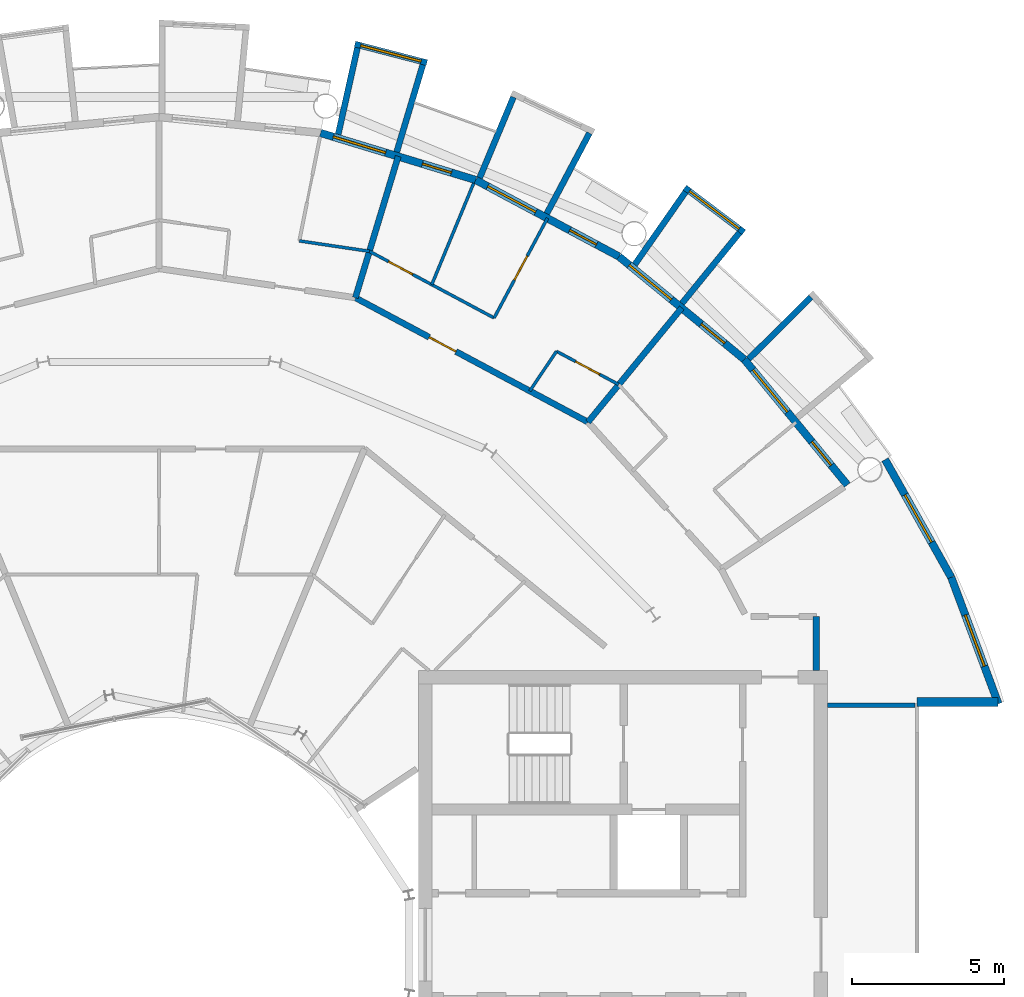
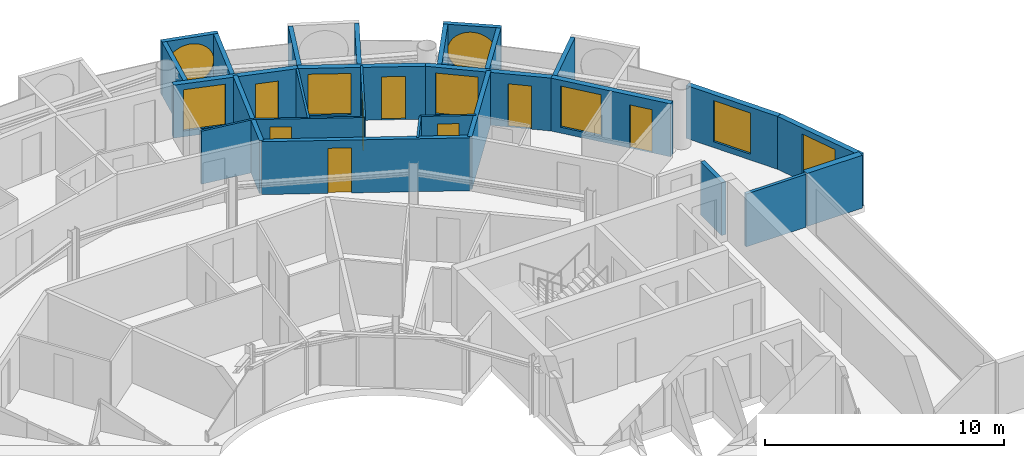
# One storey, part 24 of 29: 27 walls, 8 doors, 8 windows, 16 openings.
"""IFC4 building model written with IfcOpenShell, lengths in metres."""

from ifc_helpers import new_model, si_unit, direction, frame, frame_2d, origin, place, context, subcontext, project, spatial, rectangle, circle, extrude, material, layer, layer_set, type_object, element, fill, save


model = new_model("IFC4")

# Units and contexts
model_context = context("Model", 3, precision=1e-05, world=origin(), true_north=direction((0.0, 1.0)))
body_context = subcontext(model_context, "Body", "Model", "MODEL_VIEW")
ifc_project = project(units=[si_unit("LENGTHUNIT", "METRE"), si_unit("AREAUNIT", "SQUARE_METRE"), si_unit("VOLUMEUNIT", "CUBIC_METRE"), si_unit("PLANEANGLEUNIT", "RADIAN"), si_unit("MASSUNIT", "GRAM", prefix="KILO")], contexts=[model_context])

# Site, building, storey
site_placement = place(None, origin())
site = spatial("IfcSite", under=ifc_project, at=site_placement, CompositionType="ELEMENT")
building_placement = place(site_placement, origin())
building = spatial("IfcBuilding", under=site, at=building_placement, Name="Maasbend Ring Residences", CompositionType="ELEMENT")
storey_placement = place(building_placement, frame((0.0, 0.0, 215.75)))
storey = spatial("IfcBuildingStorey", under=building, at=storey_placement, Name="L62", CompositionType="ELEMENT", Elevation=215.75)

# Wall
ifc_material_1 = material(Name="Concrete C30/37", Category="concrete")
ifc_layer_1 = layer(ifc_material_1, 0.199951171875)
ifc_layer_set_1 = layer_set([ifc_layer_1], Name="Concrete C30/37")
wall_type_1 = type_object("IfcWallType", Name="CORRIDOR WALL 200 CONCRETE", PredefinedType="PARTITIONING", material=ifc_layer_set_1)
wall_1_placement = place(storey_placement, frame((21.675048828125, 9.050048828125, 0.0), z_axis=(0.0, 0.0, 1.0), x_axis=(0.0, 1.0, 0.0)))
element("IfcWall", 1, at=wall_1_placement, inside=storey, type_object=wall_type_1, Name="U-L62-w018", PredefinedType="PARTITIONING", context=body_context, shape_type="SweptSolid", body=[
    extrude(rectangle(XDim=1.77490234375, YDim=0.199951171875, at=frame_2d((0.887451171875, 0.0))), origin(), (0.0, 0.0, 1.0), 2.699951171875),
])

# Wall, opening, door
wall_2_placement = place(storey_placement, frame((6.472900390625, 21.340087890625, 0.0), z_axis=(0.0, 0.0, 1.0), x_axis=(0.881912965532, -0.471412262491, 0.0)))
wall_2 = element("IfcWall", 2, at=wall_2_placement, inside=storey, type_object=wall_type_1, Name="U-L62-w114", PredefinedType="PARTITIONING", context=body_context, shape_type="SweptSolid", body=[
    extrude(rectangle(XDim=8.70166015625, YDim=0.199951171875, at=frame_2d((4.350830078125, 0.0))), origin(), (0.0, 0.0, 1.0), 2.699951171875),
])
opening_1_placement = place(wall_2_placement, frame((2.763916015625, 0.0, 0.0)))
opening_1 = element("IfcOpeningElement", 3, at=opening_1_placement, cuts=wall_2, Name="Opening D-6204", PredefinedType="OPENING", context=body_context, shape_type="SweptSolid", body=[
    extrude(rectangle(XDim=1.0, YDim=2.300048828125, at=frame_2d((0.5, 1.14990234375))), frame((0.0, 0.10986328125, 0.0), z_axis=(0.0, -1.0, 0.0), x_axis=(1.0, 0.0, 0.0)), (0.0, 0.0, 1.0), 0.219970703125),
])
ifc_material_2 = material(Name="Timber, fire-rated, painted", Category="wood")
door_type_1 = type_object("IfcDoorType", Name="FLAT ENTRANCE DOOR 1000 X 2300 FIRE-RATED", OperationType="NOTDEFINED", PredefinedType="DOOR", material=ifc_material_2)
door_1_placement = place(opening_1_placement, origin())
door_1 = element("IfcDoor", 4, at=door_1_placement, inside=storey, type_object=door_type_1, Name="D-6204", OperationType="SINGLE_SWING_LEFT", OverallHeight=2.300048828125, OverallWidth=1.0, PredefinedType="DOOR", context=body_context, shape_type="SweptSolid", body=[
    extrude(rectangle(XDim=1.0, YDim=2.300048828125, at=frame_2d((0.5, 1.14990234375))), frame((0.0, 0.02490234375, 0.0), z_axis=(0.0, -1.0, 0.0), x_axis=(1.0, 0.0, 0.0)), (0.0, 0.0, 1.0), 0.050048828125),
])
fill(opening_1, door_1)

# Wall
ifc_material_3 = material(Name="Pale anodised aluminium panel", Category="aluminium")
ifc_layer_2 = layer(ifc_material_3, 0.199951171875)
ifc_layer_set_2 = layer_set([ifc_layer_2], Name="EW-BOX")
wall_type_2 = type_object("IfcWallType", Name="EW-BOX", PredefinedType="SOLIDWALL", material=ifc_layer_set_2)
wall_3_placement = place(storey_placement, frame((19.449951171875, 19.322998046875, -0.030029296875), z_axis=(0.0, 0.0, 1.0), x_axis=(0.709727076896, 0.704476739375, 0.0)))
element("IfcWall", 5, at=wall_3_placement, inside=storey, type_object=wall_type_2, Name="Box side wall N02 right", PredefinedType="SOLIDWALL", context=body_context, shape_type="SweptSolid", body=[
    extrude(rectangle(XDim=2.883056640625, YDim=0.199951171875, at=frame_2d((1.44140625, 0.0))), origin(), (0.0, 0.0, 1.0), 2.72998046875),
])

# Wall, opening, window
wall_4_placement = place(storey_placement, frame((19.2890625, 23.4970703125, -0.030029296875), z_axis=(0.0, 0.0, 1.0), x_axis=(-0.797887588059, 0.602806268067, 0.0)))
wall_4 = element("IfcWall", 6, at=wall_4_placement, inside=storey, type_object=wall_type_2, Name="Box front N04", PredefinedType="SOLIDWALL", context=body_context, shape_type="SweptSolid", body=[
    extrude(rectangle(XDim=2.446533203125, YDim=0.199951171875, at=frame_2d((1.22314453125, 0.0))), origin(), (0.0, 0.0, 1.0), 2.72998046875),
])
opening_2_placement = place(wall_4_placement, frame((0.182861328125, 0.0, 0.330078125)))
opening_2 = element("IfcOpeningElement", 7, at=opening_2_placement, cuts=wall_4, Name="Opening W-RD", PredefinedType="OPENING", context=body_context, shape_type="SweptSolid", body=[
    extrude(circle(Radius=1.0400390625, at=frame_2d((1.0400390625, 1.0400390625))), frame((0.0, 0.10986328125, 0.0), z_axis=(0.0, -1.0, 0.0), x_axis=(1.0, 0.0, 0.0)), (0.0, 0.0, 1.0), 0.219970703125),
])
ifc_material_4 = material(Name="Aluminium and clear glass", Category="aluminium")
window_type_1 = type_object("IfcWindowType", Name="W-RD", PartitioningType="SINGLE_PANEL", PredefinedType="WINDOW", material=ifc_material_4)
window_1_placement = place(opening_2_placement, origin())
window_1 = element("IfcWindow", 8, at=window_1_placement, inside=storey, type_object=window_type_1, Name="Round window N04", OverallHeight=2.080078125, OverallWidth=2.080078125, PartitioningType="SINGLE_PANEL", PredefinedType="WINDOW", context=body_context, shape_type="SweptSolid", body=[
    extrude(circle(Radius=1.0400390625, at=frame_2d((1.0400390625, 1.0400390625))), frame((0.0, 0.030029296875, 0.0), z_axis=(0.0, -1.0, 0.0), x_axis=(1.0, 0.0, 0.0)), (0.0, 0.0, 1.0), 0.06005859375),
])
fill(opening_2, window_1)

# Walls
wall_5_placement = place(storey_placement, frame((17.24609375, 21.155029296875, -0.030029296875), z_axis=(0.0, 0.0, 1.0), x_axis=(0.631741648902, 0.775179004516, 0.0)))
element("IfcWall", 9, at=wall_5_placement, inside=storey, type_object=wall_type_2, Name="Box side wall N04 left", PredefinedType="SOLIDWALL", context=body_context, shape_type="SweptSolid", body=[
    extrude(rectangle(XDim=3.005859375, YDim=0.199951171875, at=frame_2d((1.5029296875, 0.0))), origin(), (0.0, 0.0, 1.0), 2.72998046875),
])
wall_6_placement = place(storey_placement, frame((15.68798828125, 22.43310546875, -0.030029296875), z_axis=(0.0, 0.0, 1.0), x_axis=(0.573260687834, 0.819373043115, 0.0)))
element("IfcWall", 10, at=wall_6_placement, inside=storey, type_object=wall_type_2, Name="Box side wall N04 right", PredefinedType="SOLIDWALL", context=body_context, shape_type="SweptSolid", body=[
    extrude(rectangle(XDim=2.92529296875, YDim=0.199951171875, at=frame_2d((1.462646484375, 0.0))), origin(), (0.0, 0.0, 1.0), 2.72998046875),
])
wall_7_placement = place(storey_placement, frame((12.787109375, 24.113037109375, -0.030029296875), z_axis=(0.0, 0.0, 1.0), x_axis=(0.468365282436, 0.883534924159, 0.0)))
element("IfcWall", 11, at=wall_7_placement, inside=storey, type_object=wall_type_2, Name="Box side wall N06 left", PredefinedType="SOLIDWALL", context=body_context, shape_type="SweptSolid", body=[
    extrude(rectangle(XDim=3.006103515625, YDim=0.199951171875, at=frame_2d((1.5029296875, 0.0))), origin(), (0.0, 0.0, 1.0), 2.72998046875),
])
wall_8_placement = place(storey_placement, frame((10.574951171875, 25.294921875, -0.030029296875), z_axis=(0.0, 0.0, 1.0), x_axis=(0.385697364644, 0.922625353492, 0.0)))
element("IfcWall", 12, at=wall_8_placement, inside=storey, type_object=wall_type_2, Name="Box side wall N06 right", PredefinedType="SOLIDWALL", context=body_context, shape_type="SweptSolid", body=[
    extrude(rectangle(XDim=2.88330078125, YDim=0.199951171875, at=frame_2d((1.441650390625, 0.0))), origin(), (0.0, 0.0, 1.0), 2.72998046875),
])

# Wall, opening, window
wall_9_placement = place(storey_placement, frame((8.8291015625, 29.090087890625, -0.030029296875), z_axis=(0.0, 0.0, 1.0), x_axis=(-0.96789536872, 0.251353446784, 0.0)))
wall_9 = element("IfcWall", 13, at=wall_9_placement, inside=storey, type_object=wall_type_2, Name="Box front N08", PredefinedType="SOLIDWALL", context=body_context, shape_type="SweptSolid", body=[
    extrude(rectangle(XDim=2.44677734375, YDim=0.199951171875, at=frame_2d((1.223388671875, 0.0))), origin(), (0.0, 0.0, 1.0), 2.72998046875),
])
opening_3_placement = place(wall_9_placement, frame((0.182861328125, 0.0, 0.330078125)))
opening_3 = element("IfcOpeningElement", 14, at=opening_3_placement, cuts=wall_9, Name="Opening W-RD", PredefinedType="OPENING", context=body_context, shape_type="SweptSolid", body=[
    extrude(circle(Radius=1.0400390625, at=frame_2d((1.0400390625, 1.0400390625))), frame((0.0, 0.10986328125, 0.0), z_axis=(0.0, -1.0, 0.0), x_axis=(1.0, 0.0, 0.0)), (0.0, 0.0, 1.0), 0.219970703125),
])
window_2_placement = place(opening_3_placement, origin())
window_2 = element("IfcWindow", 15, at=window_2_placement, inside=storey, type_object=window_type_1, Name="Round window N08", OverallHeight=2.080078125, OverallWidth=2.080078125, PartitioningType="SINGLE_PANEL", PredefinedType="WINDOW", context=body_context, shape_type="SweptSolid", body=[
    extrude(circle(Radius=1.0400390625, at=frame_2d((1.0400390625, 1.0400390625))), frame((0.0, 0.030029296875, 0.0), z_axis=(0.0, -1.0, 0.0), x_axis=(1.0, 0.0, 0.0)), (0.0, 0.0, 1.0), 0.06005859375),
])
fill(opening_3, window_2)

# Walls
wall_10_placement = place(storey_placement, frame((7.8369140625, 26.14404296875, -0.030029296875), z_axis=(0.0, 0.0, 1.0), x_axis=(0.287064767992, 0.957911174889, 0.0)))
element("IfcWall", 16, at=wall_10_placement, inside=storey, type_object=wall_type_2, Name="Box side wall N08 left", PredefinedType="SOLIDWALL", context=body_context, shape_type="SweptSolid", body=[
    extrude(rectangle(XDim=3.00634765625, YDim=0.199951171875, at=frame_2d((1.503173828125, 0.0))), origin(), (0.0, 0.0, 1.0), 2.72998046875),
])
wall_11_placement = place(storey_placement, frame((5.908935546875, 26.72900390625, -0.030029296875), z_axis=(0.0, 0.0, 1.0), x_axis=(0.216409053917, 0.976302781612, 0.0)))
element("IfcWall", 17, at=wall_11_placement, inside=storey, type_object=wall_type_2, Name="Box side wall N08 right", PredefinedType="SOLIDWALL", context=body_context, shape_type="SweptSolid", body=[
    extrude(rectangle(XDim=2.92529296875, YDim=0.199951171875, at=frame_2d((1.462646484375, 0.0))), origin(), (0.0, 0.0, 1.0), 2.72998046875),
])

# Wall, openings, door, window
ifc_material_5 = material(Name="Aluminium clad insulated panel", Category="aluminium")
ifc_layer_3 = layer(ifc_material_5, 0.25)
ifc_layer_set_3 = layer_set([ifc_layer_3], Name="EW-GL")
wall_type_3 = type_object("IfcWallType", Name="EW-GL", PredefinedType="SOLIDWALL", material=ifc_layer_set_3)
wall_12_placement = place(storey_placement, frame((22.698974609375, 15.1669921875, 0.0), z_axis=(0.0, 0.0, 1.0), x_axis=(-0.634382322723, 0.773019449054, 0.0)))
wall_12 = element("IfcWall", 18, at=wall_12_placement, inside=storey, type_object=wall_type_3, Name="External wall N01", PredefinedType="SOLIDWALL", context=body_context, shape_type="SweptSolid", body=[
    extrude(rectangle(XDim=5.351806640625, YDim=0.25, at=frame_2d((2.67578125, 0.0))), origin(), (0.0, 0.0, 1.0), 2.699951171875),
])
opening_4_placement = place(wall_12_placement, frame((0.841064453125, 0.0, 0.0)))
opening_4 = element("IfcOpeningElement", 19, at=opening_4_placement, cuts=wall_12, Name="Opening D-LG", PredefinedType="OPENING", context=body_context, shape_type="SweptSolid", body=[
    extrude(rectangle(XDim=1.0, YDim=2.199951171875, at=frame_2d((0.5, 1.10009765625))), frame((0.0, 0.135009765625, 0.0), z_axis=(0.0, -1.0, 0.0), x_axis=(1.0, 0.0, 0.0)), (0.0, 0.0, 1.0), 0.27001953125),
])
opening_5_placement = place(wall_12_placement, frame((3.110595703125, 0.0, 0.300048828125)))
opening_5 = element("IfcOpeningElement", 20, at=opening_5_placement, cuts=wall_12, Name="Opening W-BX", PredefinedType="OPENING", context=body_context, shape_type="SweptSolid", body=[
    extrude(rectangle(XDim=1.800048828125, YDim=2.10009765625, at=frame_2d((0.89990234375, 1.050048828125))), frame((0.0, 0.135009765625, 0.0), z_axis=(0.0, -1.0, 0.0), x_axis=(1.0, 0.0, 0.0)), (0.0, 0.0, 1.0), 0.27001953125),
])
ifc_material_6 = material(Name="Aluminium and clear glass", Category="aluminium")
door_type_2 = type_object("IfcDoorType", Name="D-LG", OperationType="SINGLE_SWING_LEFT", PredefinedType="DOOR", material=ifc_material_6)
door_2_placement = place(opening_4_placement, origin())
door_2 = element("IfcDoor", 21, at=door_2_placement, inside=storey, type_object=door_type_2, Name="Loggia door N01", OperationType="SINGLE_SWING_LEFT", OverallHeight=2.199951171875, OverallWidth=1.0, PredefinedType="DOOR", context=body_context, shape_type="SweptSolid", body=[
    extrude(rectangle(XDim=1.0, YDim=2.199951171875, at=frame_2d((0.5, 1.10009765625))), frame((0.0, 0.02490234375, 0.0), z_axis=(0.0, -1.0, 0.0), x_axis=(1.0, 0.0, 0.0)), (0.0, 0.0, 1.0), 0.050048828125),
])
fill(opening_4, door_2)
ifc_material_7 = material(Name="Aluminium and clear glass", Category="aluminium")
window_type_2 = type_object("IfcWindowType", Name="W-BX", PartitioningType="DOUBLE_PANEL_VERTICAL", PredefinedType="WINDOW", material=ifc_material_7)
window_3_placement = place(opening_5_placement, origin())
window_3 = element("IfcWindow", 22, at=window_3_placement, inside=storey, type_object=window_type_2, Name="Window N02 room to box", OverallHeight=2.10009765625, OverallWidth=1.800048828125, PartitioningType="SINGLE_PANEL", PredefinedType="WINDOW", context=body_context, shape_type="SweptSolid", body=[
    extrude(rectangle(XDim=1.800048828125, YDim=2.10009765625, at=frame_2d((0.89990234375, 1.050048828125))), frame((0.0, 0.030029296875, 0.0), z_axis=(0.0, -1.0, 0.0), x_axis=(1.0, 0.0, 0.0)), (0.0, 0.0, 1.0), 0.06005859375),
])
fill(opening_5, window_3)

wall_13_placement = place(storey_placement, frame((19.303955078125, 19.303955078125, 0.0), z_axis=(0.0, 0.0, 1.0), x_axis=(-0.773019449054, 0.634382322723, 0.0)))
wall_13 = element("IfcWall", 23, at=wall_13_placement, inside=storey, type_object=wall_type_3, Name="External wall N02", PredefinedType="SOLIDWALL", context=body_context, shape_type="SweptSolid", body=[
    extrude(rectangle(XDim=5.351806640625, YDim=0.25, at=frame_2d((2.67578125, 0.0))), origin(), (0.0, 0.0, 1.0), 2.699951171875),
])
opening_6_placement = place(wall_13_placement, frame((0.841064453125, 0.0, 0.0)))
opening_6 = element("IfcOpeningElement", 24, at=opening_6_placement, cuts=wall_13, Name="Opening D-LG", PredefinedType="OPENING", context=body_context, shape_type="SweptSolid", body=[
    extrude(rectangle(XDim=1.0, YDim=2.199951171875, at=frame_2d((0.5, 1.10009765625))), frame((0.0, 0.135009765625, 0.0), z_axis=(0.0, -1.0, 0.0), x_axis=(1.0, 0.0, 0.0)), (0.0, 0.0, 1.0), 0.27001953125),
])
opening_7_placement = place(wall_13_placement, frame((3.110595703125, 0.0, 0.300048828125)))
opening_7 = element("IfcOpeningElement", 25, at=opening_7_placement, cuts=wall_13, Name="Opening W-BX", PredefinedType="OPENING", context=body_context, shape_type="SweptSolid", body=[
    extrude(rectangle(XDim=1.800048828125, YDim=2.10009765625, at=frame_2d((0.89990234375, 1.050048828125))), frame((0.0, 0.135009765625, 0.0), z_axis=(0.0, -1.0, 0.0), x_axis=(1.0, 0.0, 0.0)), (0.0, 0.0, 1.0), 0.27001953125),
])
door_3_placement = place(opening_6_placement, origin())
door_3 = element("IfcDoor", 26, at=door_3_placement, inside=storey, type_object=door_type_2, Name="Loggia door N03", OperationType="SINGLE_SWING_LEFT", OverallHeight=2.199951171875, OverallWidth=1.0, PredefinedType="DOOR", context=body_context, shape_type="SweptSolid", body=[
    extrude(rectangle(XDim=1.0, YDim=2.199951171875, at=frame_2d((0.5, 1.10009765625))), frame((0.0, 0.02490234375, 0.0), z_axis=(0.0, -1.0, 0.0), x_axis=(1.0, 0.0, 0.0)), (0.0, 0.0, 1.0), 0.050048828125),
])
fill(opening_6, door_3)
window_4_placement = place(opening_7_placement, origin())
window_4 = element("IfcWindow", 27, at=window_4_placement, inside=storey, type_object=window_type_2, Name="Window N04 room to box", OverallHeight=2.10009765625, OverallWidth=1.800048828125, PartitioningType="SINGLE_PANEL", PredefinedType="WINDOW", context=body_context, shape_type="SweptSolid", body=[
    extrude(rectangle(XDim=1.800048828125, YDim=2.10009765625, at=frame_2d((0.89990234375, 1.050048828125))), frame((0.0, 0.030029296875, 0.0), z_axis=(0.0, -1.0, 0.0), x_axis=(1.0, 0.0, 0.0)), (0.0, 0.0, 1.0), 0.06005859375),
])
fill(opening_7, window_4)

wall_14_placement = place(storey_placement, frame((15.1669921875, 22.698974609375, 0.0), z_axis=(0.0, 0.0, 1.0), x_axis=(-0.881915646801, 0.471407246368, 0.0)))
wall_14 = element("IfcWall", 28, at=wall_14_placement, inside=storey, type_object=wall_type_3, Name="External wall N03", PredefinedType="SOLIDWALL", context=body_context, shape_type="SweptSolid", body=[
    extrude(rectangle(XDim=5.35205078125, YDim=0.25, at=frame_2d((2.676025390625, 0.0))), origin(), (0.0, 0.0, 1.0), 2.699951171875),
])
opening_8_placement = place(wall_14_placement, frame((0.841064453125, 0.0, 0.0)))
opening_8 = element("IfcOpeningElement", 29, at=opening_8_placement, cuts=wall_14, Name="Opening D-LG", PredefinedType="OPENING", context=body_context, shape_type="SweptSolid", body=[
    extrude(rectangle(XDim=1.0, YDim=2.199951171875, at=frame_2d((0.5, 1.10009765625))), frame((0.0, 0.135009765625, 0.0), z_axis=(0.0, -1.0, 0.0), x_axis=(1.0, 0.0, 0.0)), (0.0, 0.0, 1.0), 0.27001953125),
])
opening_9_placement = place(wall_14_placement, frame((3.110595703125, 0.0, 0.300048828125)))
opening_9 = element("IfcOpeningElement", 30, at=opening_9_placement, cuts=wall_14, Name="Opening W-BX", PredefinedType="OPENING", context=body_context, shape_type="SweptSolid", body=[
    extrude(rectangle(XDim=1.800048828125, YDim=2.10009765625, at=frame_2d((0.89990234375, 1.050048828125))), frame((0.0, 0.135009765625, 0.0), z_axis=(0.0, -1.0, 0.0), x_axis=(1.0, 0.0, 0.0)), (0.0, 0.0, 1.0), 0.27001953125),
])
door_4_placement = place(opening_8_placement, origin())
door_4 = element("IfcDoor", 31, at=door_4_placement, inside=storey, type_object=door_type_2, Name="Loggia door N05", OperationType="SINGLE_SWING_LEFT", OverallHeight=2.199951171875, OverallWidth=1.0, PredefinedType="DOOR", context=body_context, shape_type="SweptSolid", body=[
    extrude(rectangle(XDim=1.0, YDim=2.199951171875, at=frame_2d((0.5, 1.10009765625))), frame((0.0, 0.02490234375, 0.0), z_axis=(0.0, -1.0, 0.0), x_axis=(1.0, 0.0, 0.0)), (0.0, 0.0, 1.0), 0.050048828125),
])
fill(opening_8, door_4)
window_5_placement = place(opening_9_placement, origin())
window_5 = element("IfcWindow", 32, at=window_5_placement, inside=storey, type_object=window_type_2, Name="Window N06 room to box", OverallHeight=2.10009765625, OverallWidth=1.800048828125, PartitioningType="SINGLE_PANEL", PredefinedType="WINDOW", context=body_context, shape_type="SweptSolid", body=[
    extrude(rectangle(XDim=1.800048828125, YDim=2.10009765625, at=frame_2d((0.89990234375, 1.050048828125))), frame((0.0, 0.030029296875, 0.0), z_axis=(0.0, -1.0, 0.0), x_axis=(1.0, 0.0, 0.0)), (0.0, 0.0, 1.0), 0.06005859375),
])
fill(opening_9, window_5)

wall_15_placement = place(storey_placement, frame((10.447021484375, 25.221923828125, 0.0), z_axis=(0.0, 0.0, 1.0), x_axis=(-0.956965678721, 0.290201119486, 0.0)))
wall_15 = element("IfcWall", 33, at=wall_15_placement, inside=storey, type_object=wall_type_3, Name="External wall N04", PredefinedType="SOLIDWALL", context=body_context, shape_type="SweptSolid", body=[
    extrude(rectangle(XDim=5.351318359375, YDim=0.25, at=frame_2d((2.67578125, 0.0))), origin(), (0.0, 0.0, 1.0), 2.699951171875),
])
opening_10_placement = place(wall_15_placement, frame((0.841064453125, 0.0, 0.0)))
opening_10 = element("IfcOpeningElement", 34, at=opening_10_placement, cuts=wall_15, Name="Opening D-LG", PredefinedType="OPENING", context=body_context, shape_type="SweptSolid", body=[
    extrude(rectangle(XDim=1.0, YDim=2.199951171875, at=frame_2d((0.5, 1.10009765625))), frame((0.0, 0.135009765625, 0.0), z_axis=(0.0, -1.0, 0.0), x_axis=(1.0, 0.0, 0.0)), (0.0, 0.0, 1.0), 0.27001953125),
])
opening_11_placement = place(wall_15_placement, frame((3.110595703125, 0.0, 0.300048828125)))
opening_11 = element("IfcOpeningElement", 35, at=opening_11_placement, cuts=wall_15, Name="Opening W-BX", PredefinedType="OPENING", context=body_context, shape_type="SweptSolid", body=[
    extrude(rectangle(XDim=1.800048828125, YDim=2.10009765625, at=frame_2d((0.89990234375, 1.050048828125))), frame((0.0, 0.135009765625, 0.0), z_axis=(0.0, -1.0, 0.0), x_axis=(1.0, 0.0, 0.0)), (0.0, 0.0, 1.0), 0.27001953125),
])
door_5_placement = place(opening_10_placement, origin())
door_5 = element("IfcDoor", 36, at=door_5_placement, inside=storey, type_object=door_type_2, Name="Loggia door N07", OperationType="SINGLE_SWING_LEFT", OverallHeight=2.199951171875, OverallWidth=1.0, PredefinedType="DOOR", context=body_context, shape_type="SweptSolid", body=[
    extrude(rectangle(XDim=1.0, YDim=2.199951171875, at=frame_2d((0.5, 1.10009765625))), frame((0.0, 0.02490234375, 0.0), z_axis=(0.0, -1.0, 0.0), x_axis=(1.0, 0.0, 0.0)), (0.0, 0.0, 1.0), 0.050048828125),
])
fill(opening_10, door_5)
window_6_placement = place(opening_11_placement, origin())
window_6 = element("IfcWindow", 37, at=window_6_placement, inside=storey, type_object=window_type_2, Name="Window N08 room to box", OverallHeight=2.10009765625, OverallWidth=1.800048828125, PartitioningType="SINGLE_PANEL", PredefinedType="WINDOW", context=body_context, shape_type="SweptSolid", body=[
    extrude(rectangle(XDim=1.800048828125, YDim=2.10009765625, at=frame_2d((0.89990234375, 1.050048828125))), frame((0.0, 0.030029296875, 0.0), z_axis=(0.0, -1.0, 0.0), x_axis=(1.0, 0.0, 0.0)), (0.0, 0.0, 1.0), 0.06005859375),
])
fill(opening_11, window_6)

# Wall, opening, window
ifc_material_8 = material(Name="Aluminium clad insulated panel", Category="aluminium")
ifc_layer_4 = layer(ifc_material_8, 0.25)
ifc_layer_set_4 = layer_set([ifc_layer_4], Name="EW-HORN")
wall_type_4 = type_object("IfcWallType", Name="EW-HORN", PredefinedType="SOLIDWALL", material=ifc_layer_set_4)
wall_16_placement = place(storey_placement, frame((27.681884765625, 7.945068359375, 0.0), z_axis=(0.0, 0.0, 1.0), x_axis=(-0.349247811493, 0.937030397675, 0.0)))
wall_16 = element("IfcWall", 38, at=wall_16_placement, inside=storey, type_object=wall_type_4, Name="Horn wall 1.1", PredefinedType="SOLIDWALL", context=body_context, shape_type="SweptSolid", body=[
    extrude(rectangle(XDim=4.4521484375, YDim=0.25, at=frame_2d((2.22607421875, 0.0))), origin(), (0.0, 0.0, 1.0), 2.699951171875),
])
opening_12_placement = place(wall_16_placement, frame((1.32666015625, 0.0, 0.300048828125)))
opening_12 = element("IfcOpeningElement", 39, at=opening_12_placement, cuts=wall_16, Name="Opening W-BX", PredefinedType="OPENING", context=body_context, shape_type="SweptSolid", body=[
    extrude(rectangle(XDim=1.800048828125, YDim=2.10009765625, at=frame_2d((0.89990234375, 1.050048828125))), frame((0.0, 0.135009765625, 0.0), z_axis=(0.0, -1.0, 0.0), x_axis=(1.0, 0.0, 0.0)), (0.0, 0.0, 1.0), 0.27001953125),
])
window_7_placement = place(opening_12_placement, origin())
window_7 = element("IfcWindow", 40, at=window_7_placement, inside=storey, type_object=window_type_2, Name="Horn window 1.1", OverallHeight=2.10009765625, OverallWidth=1.800048828125, PartitioningType="SINGLE_PANEL", PredefinedType="WINDOW", context=body_context, shape_type="SweptSolid", body=[
    extrude(rectangle(XDim=1.800048828125, YDim=2.10009765625, at=frame_2d((0.89990234375, 1.050048828125))), frame((0.0, 0.030029296875, 0.0), z_axis=(0.0, -1.0, 0.0), x_axis=(1.0, 0.0, 0.0)), (0.0, 0.0, 1.0), 0.06005859375),
])
fill(opening_12, window_7)

wall_17_placement = place(storey_placement, frame((26.126953125, 12.116943359375, 0.0), z_axis=(0.0, 0.0, 1.0), x_axis=(-0.489696356642, 0.871893042919, 0.0)))
wall_17 = element("IfcWall", 41, at=wall_17_placement, inside=storey, type_object=wall_type_4, Name="Horn wall 1.2", PredefinedType="SOLIDWALL", context=body_context, shape_type="SweptSolid", body=[
    extrude(rectangle(XDim=4.45361328125, YDim=0.25, at=frame_2d((2.226806640625, 0.0))), origin(), (0.0, 0.0, 1.0), 2.699951171875),
])
opening_13_placement = place(wall_17_placement, frame((1.32666015625, 0.0, 0.300048828125)))
opening_13 = element("IfcOpeningElement", 42, at=opening_13_placement, cuts=wall_17, Name="Opening W-BX", PredefinedType="OPENING", context=body_context, shape_type="SweptSolid", body=[
    extrude(rectangle(XDim=1.800048828125, YDim=2.10009765625, at=frame_2d((0.89990234375, 1.050048828125))), frame((0.0, 0.135009765625, 0.0), z_axis=(0.0, -1.0, 0.0), x_axis=(1.0, 0.0, 0.0)), (0.0, 0.0, 1.0), 0.27001953125),
])
window_8_placement = place(opening_13_placement, origin())
window_8 = element("IfcWindow", 43, at=window_8_placement, inside=storey, type_object=window_type_2, Name="Horn window 1.2", OverallHeight=2.10009765625, OverallWidth=1.800048828125, PartitioningType="SINGLE_PANEL", PredefinedType="WINDOW", context=body_context, shape_type="SweptSolid", body=[
    extrude(rectangle(XDim=1.800048828125, YDim=2.10009765625, at=frame_2d((0.89990234375, 1.050048828125))), frame((0.0, 0.030029296875, 0.0), z_axis=(0.0, -1.0, 0.0), x_axis=(1.0, 0.0, 0.0)), (0.0, 0.0, 1.0), 0.06005859375),
])
fill(opening_13, window_8)

# Walls
ifc_material_9 = material(Name="Aluminium clad insulated panel", Category="aluminium")
ifc_layer_5 = layer(ifc_material_9, 0.300048828125)
ifc_layer_set_5 = layer_set([ifc_layer_5], Name="EW-RET")
wall_type_5 = type_object("IfcWallType", Name="EW-RET", PredefinedType="SOLIDWALL", material=ifc_layer_set_5)
wall_18_placement = place(storey_placement, frame((25.0, 8.0, 0.0), z_axis=(0.0, 0.0, 1.0), x_axis=(1.0, 0.0, 0.0)))
element("IfcWall", 44, at=wall_18_placement, inside=storey, type_object=wall_type_5, Name="Notch return wall east north", PredefinedType="SOLIDWALL", context=body_context, shape_type="SweptSolid", body=[
    extrude(rectangle(XDim=2.6669921875, YDim=0.300048828125, at=frame_2d((1.33349609375, 0.0))), origin(), (0.0, 0.0, 1.0), 2.699951171875),
])
ifc_material_10 = material(Name="Gypsum board on steel studs", Category="steel")
ifc_layer_6 = layer(ifc_material_10, 0.10009765625)
ifc_layer_set_6 = layer_set([ifc_layer_6], Name="PARTITION 100 GYPSUM")
wall_type_6 = type_object("IfcWallType", Name="PARTITION 100 GYPSUM", PredefinedType="PARTITIONING", material=ifc_layer_set_6)
wall_19_placement = place(storey_placement, frame((8.993896484375, 21.77197265625, 0.0), z_axis=(0.0, 0.0, 1.0), x_axis=(0.381733837918, 0.924272295911, 0.0)))
element("IfcWall", 45, at=wall_19_placement, inside=storey, type_object=wall_type_6, Name="U-L62-w083", PredefinedType="PARTITIONING", context=body_context, shape_type="SweptSolid", body=[
    extrude(rectangle(XDim=3.617919921875, YDim=0.10009765625, at=frame_2d((1.80908203125, 0.0))), origin(), (0.0, 0.0, 1.0), 2.699951171875),
])

# Wall, opening, door
wall_20_placement = place(storey_placement, frame((11.050048828125, 20.673095703125, 0.0), z_axis=(0.0, 0.0, 1.0), x_axis=(0.471372010014, 0.881934480659, 0.0)))
wall_20 = element("IfcWall", 46, at=wall_20_placement, inside=storey, type_object=wall_type_6, Name="U-L62-w087", PredefinedType="PARTITIONING", context=body_context, shape_type="SweptSolid", body=[
    extrude(rectangle(XDim=3.73388671875, YDim=0.10009765625, at=frame_2d((1.866943359375, 0.0))), origin(), (0.0, 0.0, 1.0), 2.699951171875),
])
opening_14_placement = place(wall_20_placement, frame((1.4169921875, 0.0, 0.0)))
opening_14 = element("IfcOpeningElement", 47, at=opening_14_placement, cuts=wall_20, Name="Opening D-6206", PredefinedType="OPENING", context=body_context, shape_type="SweptSolid", body=[
    extrude(rectangle(XDim=0.89990234375, YDim=2.300048828125, at=frame_2d((0.449951171875, 1.14990234375))), frame((0.0, 0.06005859375, 0.0), z_axis=(0.0, -1.0, 0.0), x_axis=(1.0, 0.0, 0.0)), (0.0, 0.0, 1.0), 0.1201171875),
])
ifc_material_11 = material(Name="Timber, painted", Category="wood")
door_type_3 = type_object("IfcDoorType", Name="INTERNAL DOOR 900 X 2300", OperationType="NOTDEFINED", PredefinedType="DOOR", material=ifc_material_11)
door_6_placement = place(opening_14_placement, origin())
door_6 = element("IfcDoor", 48, at=door_6_placement, inside=storey, type_object=door_type_3, Name="D-6206", OperationType="SINGLE_SWING_LEFT", OverallHeight=2.300048828125, OverallWidth=0.89990234375, PredefinedType="DOOR", context=body_context, shape_type="SweptSolid", body=[
    extrude(rectangle(XDim=0.89990234375, YDim=2.300048828125, at=frame_2d((0.449951171875, 1.14990234375))), frame((0.0, 0.02490234375, 0.0), z_axis=(0.0, -1.0, 0.0), x_axis=(1.0, 0.0, 0.0)), (0.0, 0.0, 1.0), 0.050048828125),
])
fill(opening_14, door_6)

# Wall
wall_21_placement = place(storey_placement, frame((12.22900390625, 18.263916015625, 0.0), z_axis=(0.0, 0.0, 1.0), x_axis=(0.556271671389, 0.83100049796, 0.0)))
element("IfcWall", 49, at=wall_21_placement, inside=storey, type_object=wall_type_6, Name="U-L62-w089", PredefinedType="PARTITIONING", context=body_context, shape_type="SweptSolid", body=[
    extrude(rectangle(XDim=1.576416015625, YDim=0.10009765625, at=frame_2d((0.7880859375, 0.0))), origin(), (0.0, 0.0, 1.0), 2.699951171875),
])

# Wall, opening, door
wall_22_placement = place(storey_placement, frame((6.93798828125, 22.87109375, 0.0), z_axis=(0.0, 0.0, 1.0), x_axis=(0.881916280728, -0.471406060405, 0.0)))
wall_22 = element("IfcWall", 50, at=wall_22_placement, inside=storey, type_object=wall_type_6, Name="U-L62-w123", PredefinedType="PARTITIONING", context=body_context, shape_type="SweptSolid", body=[
    extrude(rectangle(XDim=4.66259765625, YDim=0.10009765625, at=frame_2d((2.331298828125, 0.0))), origin(), (0.0, 0.0, 1.0), 2.699951171875),
])
opening_15_placement = place(wall_22_placement, frame((0.716064453125, 0.0, 0.0)))
opening_15 = element("IfcOpeningElement", 51, at=opening_15_placement, cuts=wall_22, Name="Opening D-6207", PredefinedType="OPENING", context=body_context, shape_type="SweptSolid", body=[
    extrude(rectangle(XDim=0.89990234375, YDim=2.300048828125, at=frame_2d((0.449951171875, 1.14990234375))), frame((0.0, 0.06005859375, 0.0), z_axis=(0.0, -1.0, 0.0), x_axis=(1.0, 0.0, 0.0)), (0.0, 0.0, 1.0), 0.1201171875),
])
door_7_placement = place(opening_15_placement, origin())
door_7 = element("IfcDoor", 52, at=door_7_placement, inside=storey, type_object=door_type_3, Name="D-6207", OperationType="SINGLE_SWING_LEFT", OverallHeight=2.300048828125, OverallWidth=0.89990234375, PredefinedType="DOOR", context=body_context, shape_type="SweptSolid", body=[
    extrude(rectangle(XDim=0.89990234375, YDim=2.300048828125, at=frame_2d((0.449951171875, 1.14990234375))), frame((0.0, 0.02490234375, 0.0), z_axis=(0.0, -1.0, 0.0), x_axis=(1.0, 0.0, 0.0)), (0.0, 0.0, 1.0), 0.050048828125),
])
fill(opening_15, door_7)

wall_23_placement = place(storey_placement, frame((13.10595703125, 19.573974609375, 0.0), z_axis=(0.0, 0.0, 1.0), x_axis=(0.881949682246, -0.471343566824, 0.0)))
wall_23 = element("IfcWall", 53, at=wall_23_placement, inside=storey, type_object=wall_type_6, Name="U-L62-w124", PredefinedType="PARTITIONING", context=body_context, shape_type="SweptSolid", body=[
    extrude(rectangle(XDim=2.331298828125, YDim=0.10009765625, at=frame_2d((1.16552734375, 0.0))), origin(), (0.0, 0.0, 1.0), 2.699951171875),
])
opening_16_placement = place(wall_23_placement, frame((0.716064453125, 0.0, 0.0)))
opening_16 = element("IfcOpeningElement", 54, at=opening_16_placement, cuts=wall_23, Name="Opening D-6205", PredefinedType="OPENING", context=body_context, shape_type="SweptSolid", body=[
    extrude(rectangle(XDim=0.89990234375, YDim=2.300048828125, at=frame_2d((0.449951171875, 1.14990234375))), frame((0.0, 0.06005859375, 0.0), z_axis=(0.0, -1.0, 0.0), x_axis=(1.0, 0.0, 0.0)), (0.0, 0.0, 1.0), 0.1201171875),
])
door_8_placement = place(opening_16_placement, origin())
door_8 = element("IfcDoor", 55, at=door_8_placement, inside=storey, type_object=door_type_3, Name="D-6205", OperationType="SINGLE_SWING_LEFT", OverallHeight=2.300048828125, OverallWidth=0.89990234375, PredefinedType="DOOR", context=body_context, shape_type="SweptSolid", body=[
    extrude(rectangle(XDim=0.89990234375, YDim=2.300048828125, at=frame_2d((0.449951171875, 1.14990234375))), frame((0.0, 0.02490234375, 0.0), z_axis=(0.0, -1.0, 0.0), x_axis=(1.0, 0.0, 0.0)), (0.0, 0.0, 1.0), 0.050048828125),
])
fill(opening_16, door_8)

# Walls
wall_24_placement = place(storey_placement, frame((4.625, 23.214111328125, 0.0), z_axis=(0.0, 0.0, 1.0), x_axis=(0.989181588285, -0.146696235121, 0.0)))
element("IfcWall", 56, at=wall_24_placement, inside=storey, type_object=wall_type_6, Name="U-L62-w126", PredefinedType="PARTITIONING", context=body_context, shape_type="SweptSolid", body=[
    extrude(rectangle(XDim=2.33837890625, YDim=0.10009765625, at=frame_2d((1.169189453125, 0.0))), origin(), (0.0, 0.0, 1.0), 2.699951171875),
])
ifc_material_12 = material(Name="Gypsum board on steel studs", Category="steel")
ifc_layer_7 = layer(ifc_material_12, 0.14990234375)
ifc_layer_set_7 = layer_set([ifc_layer_7], Name="PARTITION 150 EI 60")
wall_type_7 = type_object("IfcWallType", Name="PARTITION 150 EI 60", PredefinedType="PARTITIONING", material=ifc_layer_set_7)
wall_25_placement = place(storey_placement, frame((22.050048828125, 7.89990234375, 0.0), z_axis=(0.0, 0.0, 1.0), x_axis=(1.0, 0.0, 0.0)))
element("IfcWall", 57, at=wall_25_placement, inside=storey, type_object=wall_type_7, Name="L62 core E wall CITN", PredefinedType="PARTITIONING", context=body_context, shape_type="SweptSolid", body=[
    extrude(rectangle(XDim=2.889892578125, YDim=0.14990234375, at=frame_2d((1.44482421875, 0.0))), origin(), (0.0, 0.0, 1.0), 2.699951171875),
])
ifc_material_13 = material(Name="Concrete C30/37", Category="concrete")
ifc_layer_8 = layer(ifc_material_13, 0.199951171875)
ifc_layer_set_8 = layer_set([ifc_layer_8], Name="Concrete C30/37")
wall_type_8 = type_object("IfcWallType", Name="PARTY WALL 200 CONCRETE", PredefinedType="PARTITIONING", material=ifc_layer_set_8)
wall_26_placement = place(storey_placement, frame((6.47412109375, 21.340087890625, 0.0), z_axis=(0.0, 0.0, 1.0), x_axis=(0.290053269332, 0.957010502006, 0.0)))
element("IfcWall", 58, at=wall_26_placement, inside=storey, type_object=wall_type_8, Name="U-L62-w079", PredefinedType="PARTITIONING", context=body_context, shape_type="SweptSolid", body=[
    extrude(rectangle(XDim=4.874267578125, YDim=0.199951171875, at=frame_2d((2.43701171875, 0.0))), origin(), (0.0, 0.0, 1.0), 2.699951171875),
])
wall_27_placement = place(storey_placement, frame((14.14697265625, 17.238037109375, 0.0), z_axis=(0.0, 0.0, 1.0), x_axis=(0.634374159378, 0.773026148273, 0.0)))
element("IfcWall", 59, at=wall_27_placement, inside=storey, type_object=wall_type_8, Name="U-L62-w091", PredefinedType="PARTITIONING", context=body_context, shape_type="SweptSolid", body=[
    extrude(rectangle(XDim=4.875732421875, YDim=0.199951171875, at=frame_2d((2.43798828125, 0.0))), origin(), (0.0, 0.0, 1.0), 2.699951171875),
])

save(model, "model.ifc")
